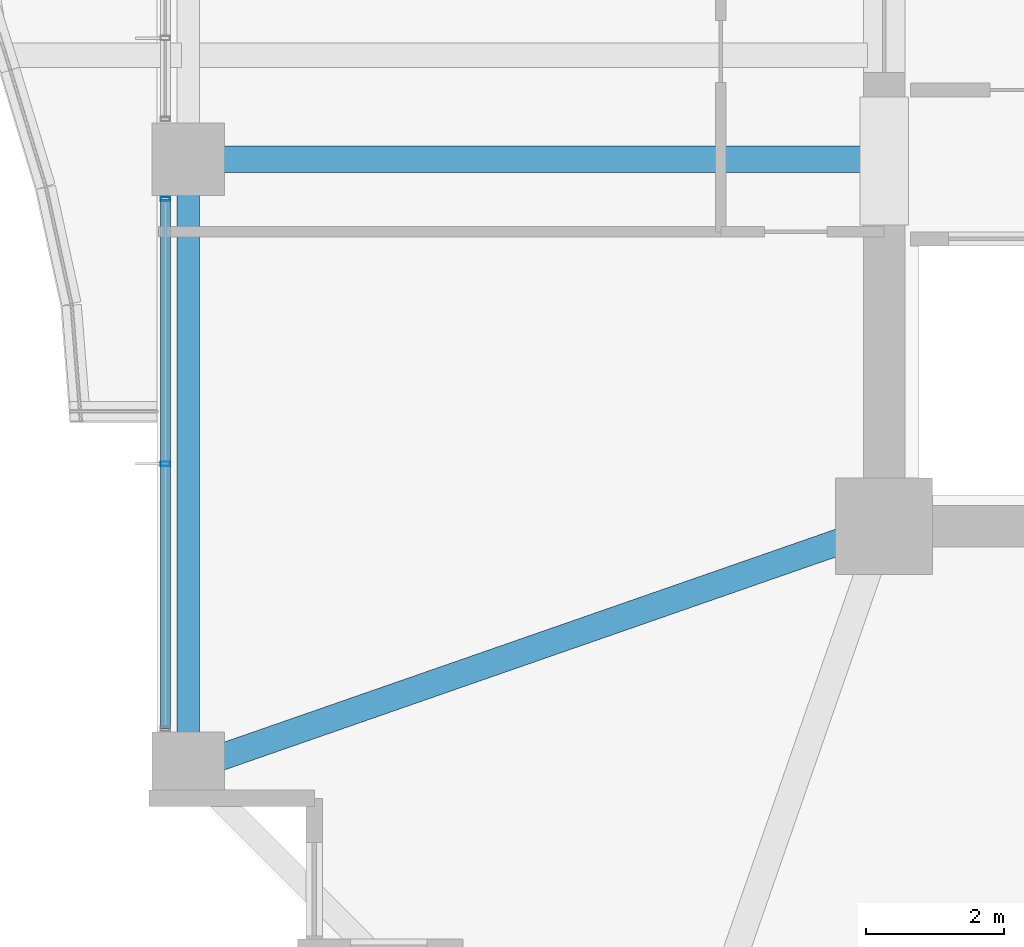
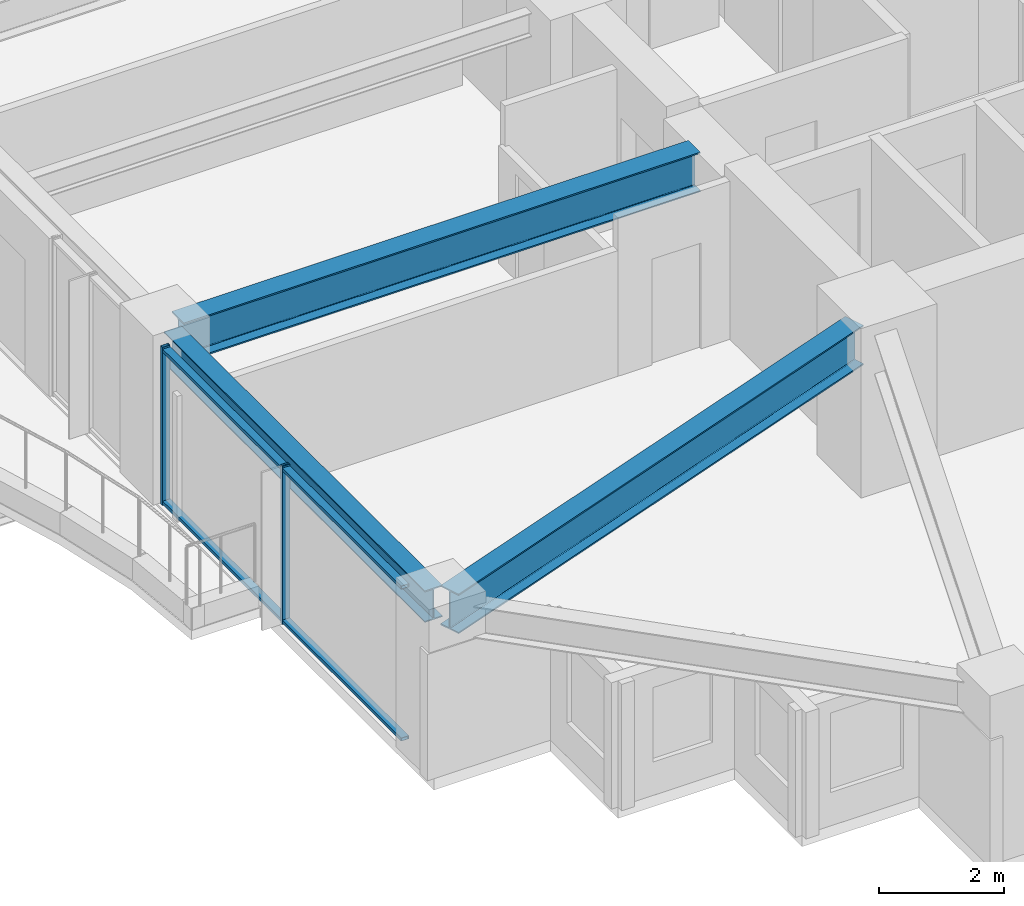
# One storey, part 4 of 36: 4 members, 3 beams, 1 element without a shape of its own.
"""IFC4 building model written with IfcOpenShell, lengths in metres."""

from ifc_helpers import new_model, si_unit, direction, frame, origin, origin_2d, place, context, subcontext, project, spatial, hollow_rectangle, i_section, extrude, material, material_profile, profile_set, type_object, element, aggregate, save


model = new_model("IFC4")

# Units and contexts
model_context = context("Model", 3, precision=1e-05, world=origin(), true_north=direction((0.0, 1.0)))
body_context = subcontext(model_context, "Body", "Model", "MODEL_VIEW")
ifc_project = project(units=[si_unit("LENGTHUNIT", "METRE"), si_unit("AREAUNIT", "SQUARE_METRE"), si_unit("VOLUMEUNIT", "CUBIC_METRE"), si_unit("PLANEANGLEUNIT", "RADIAN"), si_unit("MASSUNIT", "GRAM", prefix="KILO")], contexts=[model_context])

# Site, building, storey
site_placement = place(None, origin())
site = spatial("IfcSite", under=ifc_project, at=site_placement, CompositionType="ELEMENT")
building_placement = place(site_placement, origin())
building = spatial("IfcBuilding", under=site, at=building_placement, Name="Kolvaren Belvedere", CompositionType="ELEMENT")
storey_placement = place(building_placement, frame((0.0, 0.0, 95.300048828125)))
storey = spatial("IfcBuildingStorey", under=building, at=storey_placement, Name="L27", CompositionType="ELEMENT", Elevation=95.300048828125)

# Beams
ifc_material_1 = material(Name="Structural steel ASTM A992 Grade 50", Category="steel")
ifc_material_profile_1 = material_profile(ifc_material_1, i_section(OverallWidth=0.381103515625, OverallDepth=0.77294921875, WebThickness=0.0166015625, FlangeThickness=0.027099609375, FilletRadius=0.02392578125, at=origin_2d()), Name="W30X173")
ifc_profile_set_1 = profile_set([ifc_material_profile_1], Name="Structural steel ASTM A992 Grade 50")
beam_type_1 = type_object("IfcBeamType", Name="BM-GIRD-W30X173", PredefinedType="BEAM", material=ifc_profile_set_1)
beam_1_placement = place(storey_placement, frame((-10.199951171875, -4.60009765625, 2.693359375), z_axis=(-1.0, 0.0, 0.0), x_axis=(0.0, -1.0, 0.0)))
element("IfcBeam", 1, at=beam_1_placement, inside=storey, type_object=beam_type_1, Name="L27 West Radial Girder M", PredefinedType="BEAM", context=body_context, shape_type="SweptSolid", body=[
    extrude(i_section(OverallWidth=0.381103515625, OverallDepth=0.77294921875, WebThickness=0.0166015625, FlangeThickness=0.027099609375, FilletRadius=0.02392578125, at=origin_2d()), origin(), (0.0, 0.0, 1.0), 9.513916015625),
])
beam_2_placement = place(storey_placement, frame((-10.41943359375, -10.080810546875, 2.693359375), z_axis=(-0.944371408538, -0.328880894453, 0.0), x_axis=(0.328880894453, -0.944371408538, 0.0)))
element("IfcBeam", 2, at=beam_2_placement, inside=storey, type_object=beam_type_1, Name="L27 Corner Core-to-Perimeter Girder CC1-W1", PredefinedType="BEAM", context=body_context, shape_type="SweptSolid", body=[
    extrude(i_section(OverallWidth=0.381103515625, OverallDepth=0.77294921875, WebThickness=0.0166015625, FlangeThickness=0.027099609375, FilletRadius=0.02392578125, at=origin_2d()), origin(), (0.0, 0.0, 1.0), 9.882080078125),
])
ifc_material_2 = material(Name="Structural steel ASTM A992 Grade 50", Category="steel")
ifc_material_profile_2 = material_profile(ifc_material_2, i_section(OverallWidth=0.324951171875, OverallDepth=0.615966796875, WebThickness=0.013916015625, FlangeThickness=0.021484375, FilletRadius=0.02001953125, at=origin_2d()), Name="W24X117")
ifc_profile_set_2 = profile_set([ifc_material_profile_2], Name="Structural steel ASTM A992 Grade 50")
beam_type_2 = type_object("IfcBeamType", Name="BM-SPAN-W24X117", PredefinedType="SPANDREL", material=ifc_profile_set_2)
beam_3_placement = place(storey_placement, frame((-19.949951171875, -4.836181640625, 2.77197265625), z_axis=(0.0, -1.0, 0.0), x_axis=(1.0, 0.0, 0.0)))
element("IfcBeam", 3, at=beam_3_placement, inside=storey, type_object=beam_type_2, Name="L27 Perimeter Spandrel W2-W1", PredefinedType="SPANDREL", context=body_context, shape_type="SweptSolid", body=[
    extrude(i_section(OverallWidth=0.324951171875, OverallDepth=0.615966796875, WebThickness=0.013916015625, FlangeThickness=0.021484375, FilletRadius=0.02001953125, at=origin_2d()), origin(), (0.0, 0.0, 1.0), 8.32763671875),
])

# Curtain wall, members
ifc_material_3 = material(Name="Anodised pale-metal aluminium AA 6063-T6", Category="aluminium")
curtain_wall_type = type_object("IfcCurtainWallType", Name="CW-Z2-MID", PredefinedType="NOTDEFINED", material=ifc_material_3)
curtain_wall_placement = place(storey_placement, origin())
curtain_wall = element("IfcCurtainWall", 4, at=curtain_wall_placement, inside=storey, type_object=curtain_wall_type, Name="L27 Unitised Curtain Wall FCW-L27-W1-B1", PredefinedType="NOTDEFINED")
ifc_material_4 = material(Name="Anodised pale-metal aluminium AA 6063-T6", Category="aluminium")
ifc_material_profile_3 = material_profile(ifc_material_4, hollow_rectangle(XDim=0.06494140625, YDim=0.139892578125, WallThickness=0.00390625, at=origin_2d()), Name="ALU-MUL-140X65")
ifc_profile_set_3 = profile_set([ifc_material_profile_3], Name="Anodised pale-metal aluminium AA 6063-T6")
member_type_1 = type_object("IfcMemberType", Name="CW-MUL-140", PredefinedType="MULLION", material=ifc_profile_set_3)
member_1_placement = place(storey_placement, frame((-20.280029296875, -9.0, 0.0), z_axis=(0.0, 0.0, 1.0), x_axis=(0.0, 1.0, 0.0)))
member_1 = element("IfcMember", 5, at=member_1_placement, type_object=member_type_1, Name="FCW-L27-W1-B1 Unitised Mullion 2", PredefinedType="MULLION", context=body_context, shape_type="SweptSolid", body=[
    extrude(hollow_rectangle(XDim=0.06494140625, YDim=0.139892578125, WallThickness=0.00390625, at=origin_2d()), origin(), (0.0, 0.0, 1.0), 3.079833984375),
])
member_2_placement = place(storey_placement, frame((-20.280029296875, -5.177490234375, 0.0), z_axis=(0.0, 0.0, 1.0), x_axis=(0.0, 1.0, 0.0)))
member_2 = element("IfcMember", 6, at=member_2_placement, type_object=member_type_1, Name="FCW-L27-W1-B1 Unitised Mullion 3", PredefinedType="MULLION", context=body_context, shape_type="SweptSolid", body=[
    extrude(hollow_rectangle(XDim=0.06494140625, YDim=0.139892578125, WallThickness=0.00390625, at=origin_2d()), origin(), (0.0, 0.0, 1.0), 3.079833984375),
])
ifc_material_5 = material(Name="Anodised pale-metal aluminium AA 6063-T6", Category="aluminium")
ifc_material_profile_4 = material_profile(ifc_material_5, hollow_rectangle(XDim=0.06005859375, YDim=0.139892578125, WallThickness=0.00390625, at=origin_2d()), Name="ALU-TRN-140X60")
ifc_profile_set_4 = profile_set([ifc_material_profile_4], Name="Anodised pale-metal aluminium AA 6063-T6")
member_type_2 = type_object("IfcMemberType", Name="CW-TRN-140", PredefinedType="USERDEFINED", material=ifc_profile_set_4)
member_3_placement = place(storey_placement, frame((-20.280029296875, -12.822509765625, 0.06005859375), z_axis=(0.0, 1.0, 0.0), x_axis=(0.0, 0.0, 1.0)))
member_3 = element("IfcMember", 7, at=member_3_placement, type_object=member_type_2, Name="FCW-L27-W1-B1 Sill Transom", ObjectType="TRANSOM", PredefinedType="USERDEFINED", context=body_context, shape_type="SweptSolid", body=[
    extrude(hollow_rectangle(XDim=0.06005859375, YDim=0.139892578125, WallThickness=0.00390625, at=origin_2d()), origin(), (0.0, 0.0, 1.0), 7.64501953125),
])
member_4_placement = place(storey_placement, frame((-20.280029296875, -12.822509765625, 3.02001953125), z_axis=(0.0, 1.0, 0.0), x_axis=(0.0, 0.0, 1.0)))
member_4 = element("IfcMember", 8, at=member_4_placement, type_object=member_type_2, Name="FCW-L27-W1-B1 Head Transom", ObjectType="TRANSOM", PredefinedType="USERDEFINED", context=body_context, shape_type="SweptSolid", body=[
    extrude(hollow_rectangle(XDim=0.06005859375, YDim=0.139892578125, WallThickness=0.00390625, at=origin_2d()), origin(), (0.0, 0.0, 1.0), 7.64501953125),
])
aggregate(curtain_wall, [member_1, member_2, member_3, member_4])

save(model, "model.ifc")
